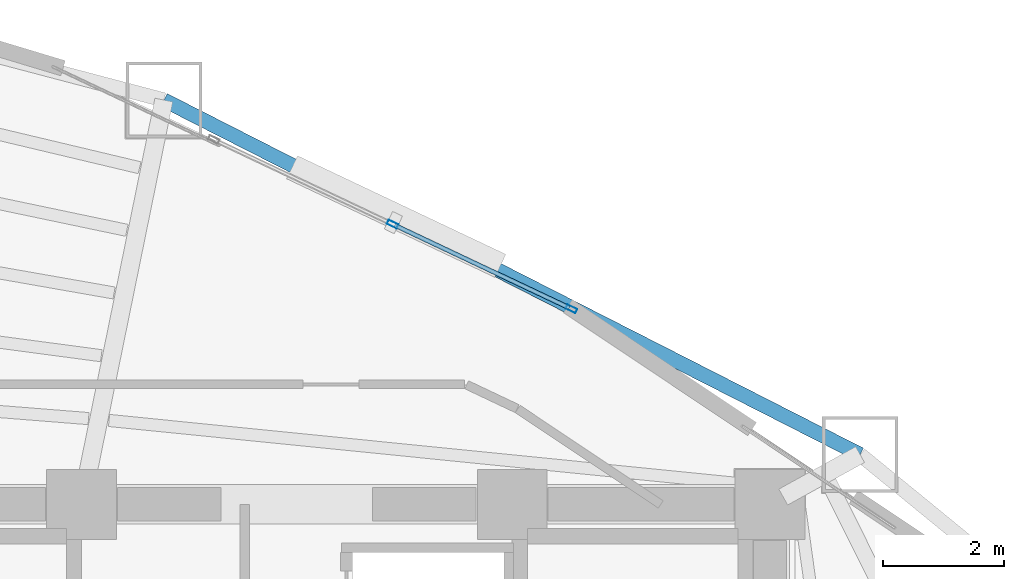
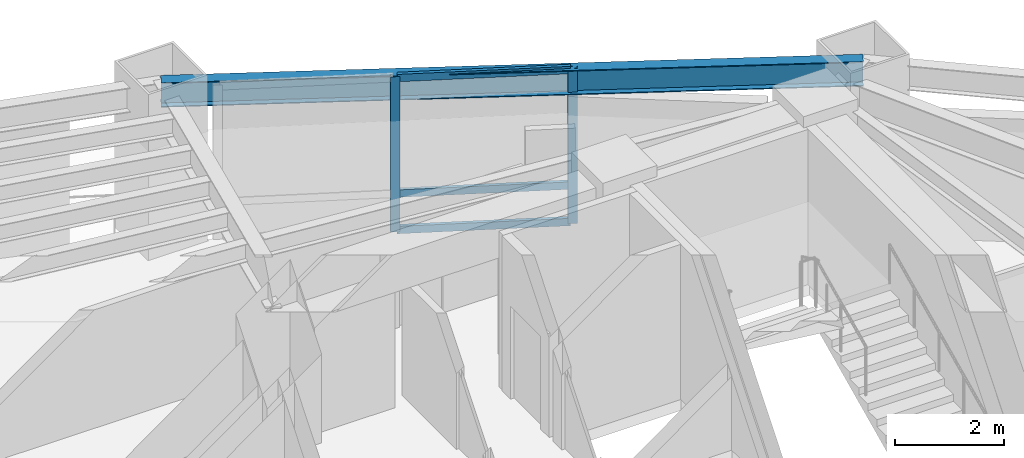
# One storey, part 14 of 23: 5 members, 1 beam, 1 element without a shape of its own.
"""IFC4 building model written with IfcOpenShell, lengths in metres."""

from ifc_helpers import new_model, si_unit, direction, frame, origin, origin_2d, place, context, subcontext, project, spatial, hollow_rectangle, i_section, extrude, material, layer, layer_set, material_profile, profile_set, type_object, element, aggregate, save


model = new_model("IFC4")

# Units and contexts
model_context = context("Model", 3, precision=1e-05, world=origin(), true_north=direction((0.0, 1.0)))
body_context = subcontext(model_context, "Body", "Model", "MODEL_VIEW")
ifc_project = project(units=[si_unit("LENGTHUNIT", "METRE"), si_unit("AREAUNIT", "SQUARE_METRE"), si_unit("VOLUMEUNIT", "CUBIC_METRE"), si_unit("PLANEANGLEUNIT", "RADIAN"), si_unit("MASSUNIT", "GRAM", prefix="KILO")], contexts=[model_context])

# Site, building, storey
site_placement = place(None, origin())
site = spatial("IfcSite", under=ifc_project, at=site_placement, CompositionType="ELEMENT")
building_placement = place(site_placement, origin())
building = spatial("IfcBuilding", under=site, at=building_placement, Name="Menara Vayukalpa", CompositionType="ELEMENT")
storey_placement = place(building_placement, frame((0.0, 0.0, 111.419921875)))
storey = spatial("IfcBuildingStorey", under=building, at=storey_placement, Name="L27", CompositionType="ELEMENT", Elevation=111.419921875)

# Beam
ifc_material_1 = material(Name="Steel S355", Category="steel")
ifc_material_profile_1 = material_profile(ifc_material_1, i_section(OverallWidth=0.239990234375, OverallDepth=0.550048828125, WebThickness=0.010986328125, FlangeThickness=0.01904296875, at=origin_2d()), Name="WF 550x240x11x19")
ifc_profile_set_1 = profile_set([ifc_material_profile_1], Name="Steel S355")
beam_type = type_object("IfcBeamType", Name="BM-SP2", PredefinedType="SPANDREL", material=ifc_profile_set_1)
beam_placement = place(storey_placement, frame((34.88671875, 27.62158203125, 3.195068359375), z_axis=(-0.891097345221, 0.453812209333, 0.0), x_axis=(-0.453812209333, -0.891097345221, 0.0)))
element("IfcBeam", 1, at=beam_placement, inside=storey, type_object=beam_type, Name="L27 Perimeter Spandrel Beam SP02", PredefinedType="SPANDREL", context=body_context, shape_type="SweptSolid", body=[
    extrude(i_section(OverallWidth=0.239990234375, OverallDepth=0.550048828125, WebThickness=0.010986328125, FlangeThickness=0.01904296875, at=origin_2d()), origin(), (0.0, 0.0, 1.0), 12.88134765625),
])

# Curtain wall, members
ifc_material_2 = material(Name="Anodised Terracotta Aluminium Alloy 6063-T6", Category="masonry")
ifc_layer = layer(ifc_material_2, 0.179931640625)
ifc_layer_set = layer_set([ifc_layer], Name="Anodised Terracotta Aluminium Alloy 6063-T6")
curtain_wall_type = type_object("IfcCurtainWallType", Name="CW-CW4", PredefinedType="USERDEFINED", material=ifc_layer_set)
curtain_wall_placement = place(storey_placement, origin())
curtain_wall = element("IfcCurtainWall", 2, at=curtain_wall_placement, inside=storey, type_object=curtain_wall_type, Name="L27 Sky Bar Cantilever Glazed Curtain Wall CW4 05", ObjectType="UNITISED", PredefinedType="USERDEFINED")
ifc_material_3 = material(Name="Anodised Terracotta Aluminium Alloy 6063-T6", Category="masonry")
ifc_material_profile_2 = material_profile(ifc_material_3, hollow_rectangle(XDim=0.074951171875, YDim=0.179931640625, WallThickness=0.00390625, at=origin_2d()), Name="ALU 75x180x4")
ifc_profile_set_2 = profile_set([ifc_material_profile_2], Name="Anodised Terracotta Aluminium Alloy 6063-T6")
member_type_1 = type_object("IfcMemberType", Name="CWM-CW4", PredefinedType="MULLION", material=ifc_profile_set_2)
member_1_placement = place(storey_placement, frame((30.127197265625, 30.023681640625, 0.0), z_axis=(0.0, 0.0, 1.0), x_axis=(-0.427870715016, -0.903839947796, 0.0)))
member_1 = element("IfcMember", 3, at=member_1_placement, type_object=member_type_1, Name="CW4 mullion 1", PredefinedType="MULLION", context=body_context, shape_type="SweptSolid", body=[
    extrude(hollow_rectangle(XDim=0.074951171875, YDim=0.179931640625, WallThickness=0.00390625, at=origin_2d()), origin(), (0.0, 0.0, 1.0), 3.469970703125),
])
member_2_placement = place(storey_placement, frame((27.178955078125, 31.41943359375, 0.0), z_axis=(0.0, 0.0, 1.0), x_axis=(-0.427870715016, -0.903839947796, 0.0)))
member_2 = element("IfcMember", 4, at=member_2_placement, type_object=member_type_1, Name="CW4 mullion 2", PredefinedType="MULLION", context=body_context, shape_type="SweptSolid", body=[
    extrude(hollow_rectangle(XDim=0.074951171875, YDim=0.179931640625, WallThickness=0.00390625, at=origin_2d()), origin(), (0.0, 0.0, 1.0), 3.469970703125),
])
ifc_material_4 = material(Name="Anodised Terracotta Aluminium Alloy 6063-T6", Category="masonry")
ifc_material_profile_3 = material_profile(ifc_material_4, hollow_rectangle(XDim=0.070068359375, YDim=0.1650390625, WallThickness=0.00390625, at=origin_2d()), Name="ALU 70x165x4")
ifc_profile_set_3 = profile_set([ifc_material_profile_3], Name="Anodised Terracotta Aluminium Alloy 6063-T6")
member_type_2 = type_object("IfcMemberType", Name="CWT-CW4", PredefinedType="USERDEFINED", material=ifc_profile_set_3)
member_3_placement = place(storey_placement, frame((30.093505859375, 30.039794921875, 0.03515625), z_axis=(-0.903856350553, 0.42783606389, 0.0), x_axis=(-0.42783606389, -0.903856350553, 0.0)))
member_3 = element("IfcMember", 5, at=member_3_placement, type_object=member_type_2, Name="CW4 transom 1.1", ObjectType="TRANSOM", PredefinedType="USERDEFINED", context=body_context, shape_type="SweptSolid", body=[
    extrude(hollow_rectangle(XDim=0.070068359375, YDim=0.1650390625, WallThickness=0.00390625, at=origin_2d()), origin(), (0.0, 0.0, 1.0), 3.18701171875),
])
member_4_placement = place(storey_placement, frame((30.093505859375, 30.039794921875, 0.85009765625), z_axis=(-0.903856350553, 0.42783606389, 0.0), x_axis=(-0.42783606389, -0.903856350553, 0.0)))
member_4 = element("IfcMember", 6, at=member_4_placement, type_object=member_type_2, Name="CW4 transom 1.2", ObjectType="TRANSOM", PredefinedType="USERDEFINED", context=body_context, shape_type="SweptSolid", body=[
    extrude(hollow_rectangle(XDim=0.070068359375, YDim=0.1650390625, WallThickness=0.00390625, at=origin_2d()), origin(), (0.0, 0.0, 1.0), 3.18701171875),
])
member_5_placement = place(storey_placement, frame((30.093505859375, 30.039794921875, 3.43505859375), z_axis=(-0.903856350553, 0.42783606389, 0.0), x_axis=(-0.42783606389, -0.903856350553, 0.0)))
member_5 = element("IfcMember", 7, at=member_5_placement, type_object=member_type_2, Name="CW4 transom 1.3", ObjectType="TRANSOM", PredefinedType="USERDEFINED", context=body_context, shape_type="SweptSolid", body=[
    extrude(hollow_rectangle(XDim=0.070068359375, YDim=0.1650390625, WallThickness=0.00390625, at=origin_2d()), origin(), (0.0, 0.0, 1.0), 3.18701171875),
])
aggregate(curtain_wall, [member_1, member_2, member_3, member_4, member_5])

save(model, "model.ifc")
